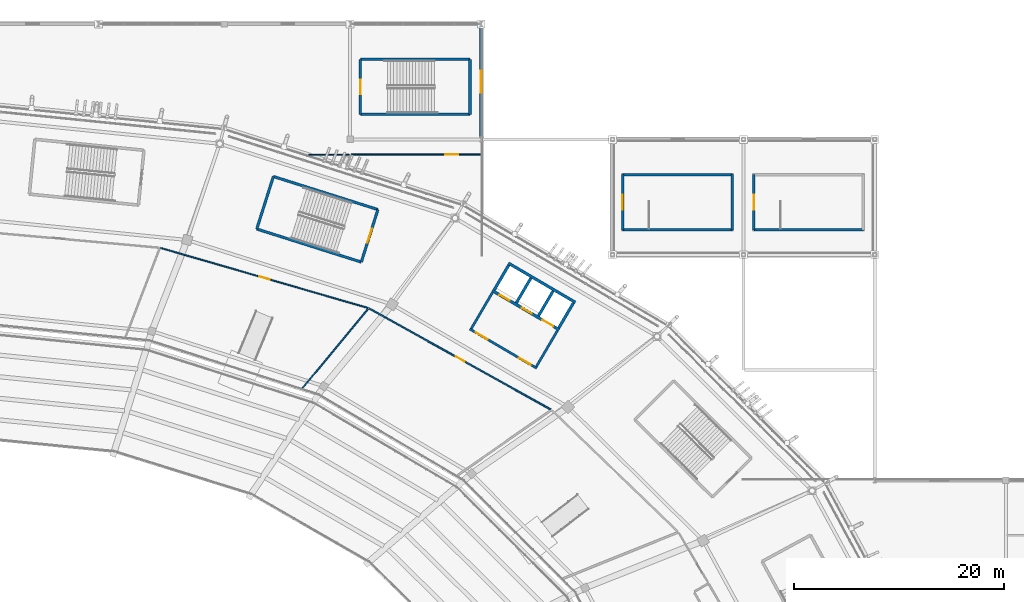
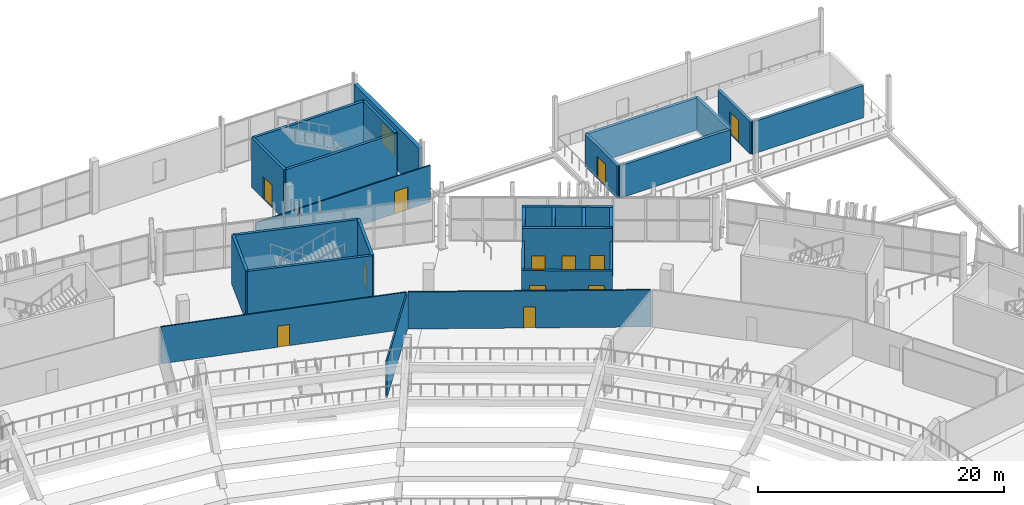
# One storey, part 132 of 178: 29 walls, 12 doors, 1 window, 13 openings.
"""IFC4 building model written with IfcOpenShell, lengths in metres."""

from ifc_helpers import new_model, si_unit, direction, frame, frame_2d, origin, place, context, subcontext, project, spatial, rectangle, extrude, material, layer, layer_set, type_object, element, fill, save


model = new_model("IFC4")

# Units and contexts
model_context = context("Model", 3, precision=1e-05, world=origin(), true_north=direction((0.0, 1.0)))
body_context = subcontext(model_context, "Body", "Model", "MODEL_VIEW")
ifc_project = project(units=[si_unit("LENGTHUNIT", "METRE"), si_unit("AREAUNIT", "SQUARE_METRE"), si_unit("VOLUMEUNIT", "CUBIC_METRE"), si_unit("PLANEANGLEUNIT", "RADIAN"), si_unit("MASSUNIT", "GRAM", prefix="KILO")], contexts=[model_context])

# Site, building, storey
site_placement = place(None, origin())
site = spatial("IfcSite", under=ifc_project, at=site_placement, CompositionType="ELEMENT")
building_placement = place(site_placement, origin())
building = spatial("IfcBuilding", under=site, at=building_placement, Name="Zlatoyarsky Gate Stadium", CompositionType="ELEMENT")
storey_placement = place(building_placement, frame((0.0, 0.0, 5.39990234375)))
storey = spatial("IfcBuildingStorey", under=building, at=storey_placement, Name="L01", CompositionType="ELEMENT", Elevation=5.39990234375)

# Wall, opening, door
ifc_material_1 = material(Name="Anodised aluminium acoustic operable wall", Category="aluminium")
ifc_layer_1 = layer(ifc_material_1, 0.114990234375)
ifc_layer_set_1 = layer_set([ifc_layer_1], Name="Anodised aluminium acoustic operable wall")
wall_type_1 = type_object("IfcWallType", Name="ACOUSTIC OPERABLE SUITE WALL 115", PredefinedType="MOVABLE", material=ifc_layer_set_1)
wall_1_placement = place(storey_placement, frame((147.5849609375, 147.550048828125, 0.0), z_axis=(0.0, 0.0, 1.0), x_axis=(1.0, 0.0, 0.0)))
wall_1 = element("IfcWall", 1, at=wall_1_placement, inside=storey, type_object=wall_type_1, Name="L01 interior partition PRT-L01-V2NC-SE2B", PredefinedType="MOVABLE", context=body_context, shape_type="SweptSolid", body=[
    extrude(rectangle(XDim=12.31005859375, YDim=0.114990234375, at=frame_2d((6.155029296875, 0.0))), origin(), (0.0, 0.0, 1.0), 3.670166015625),
])
opening_1_placement = place(wall_1_placement, frame((8.9599609375, 0.0, 0.0)))
opening_1 = element("IfcOpeningElement", 2, at=opening_1_placement, cuts=wall_1, Name="Opening D-L01-278", PredefinedType="OPENING", context=body_context, shape_type="SweptSolid", body=[
    extrude(rectangle(XDim=1.239990234375, YDim=2.239990234375, at=frame_2d((0.6201171875, 1.1201171875))), frame((0.0, 0.0673828125, 0.0), z_axis=(0.0, -1.0, 0.0), x_axis=(1.0, 0.0, 0.0)), (0.0, 0.0, 1.0), 0.135009765625),
])
ifc_material_2 = material(Name="Solid-core oak veneer acoustic door", Category="wood")
door_type_1 = type_object("IfcDoorType", Name="ACOUSTIC INTERIOR DOOR 1240X2240", OperationType="NOTDEFINED", PredefinedType="DOOR", material=ifc_material_2)
door_1_placement = place(opening_1_placement, origin())
door_1 = element("IfcDoor", 3, at=door_1_placement, inside=storey, type_object=door_type_1, Name="L01 room door D-L01-278", OperationType="SINGLE_SWING_RIGHT", OverallHeight=2.239990234375, OverallWidth=1.239990234375, PredefinedType="DOOR", context=body_context, shape_type="SweptSolid", body=[
    extrude(rectangle(XDim=1.239990234375, YDim=2.239990234375, at=frame_2d((0.6201171875, 1.1201171875))), frame((0.0, 0.02490234375, 0.0), z_axis=(0.0, -1.0, 0.0), x_axis=(1.0, 0.0, 0.0)), (0.0, 0.0, 1.0), 0.050048828125),
])
fill(opening_1, door_1)

ifc_material_3 = material(Name="Moisture-resistant masonry partition", Category="masonry")
ifc_layer_2 = layer(ifc_material_3, 0.139892578125)
ifc_layer_set_2 = layer_set([ifc_layer_2], Name="Moisture-resistant masonry partition")
wall_type_2 = type_object("IfcWallType", Name="ATHLETE CHANGING BLOCK PARTITION 140", PredefinedType="PARTITIONING", material=ifc_layer_set_2)
wall_2_placement = place(storey_placement, frame((166.6181640625, 123.248779296875, 0.0), z_axis=(0.0, 0.0, 1.0), x_axis=(-0.873697684001, 0.486469276493, 0.0)))
wall_2 = element("IfcWall", 4, at=wall_2_placement, inside=storey, type_object=wall_type_2, Name="L01 interior partition PRT-L01-ICC-03", PredefinedType="PARTITIONING", context=body_context, shape_type="SweptSolid", body=[
    extrude(rectangle(XDim=19.76171875, YDim=0.139892578125, at=frame_2d((9.880859375, 0.0))), origin(), (0.0, 0.0, 1.0), 3.670166015625),
])
opening_2_placement = place(wall_2_placement, frame((9.40087890625, 0.0, 0.0)))
opening_2 = element("IfcOpeningElement", 5, at=opening_2_placement, cuts=wall_2, Name="Opening D-L01-223", PredefinedType="OPENING", context=body_context, shape_type="SweptSolid", body=[
    extrude(rectangle(XDim=0.9599609375, YDim=2.10009765625, at=frame_2d((0.47998046875, 1.050048828125))), frame((0.0, 0.079833984375, 0.0), z_axis=(0.0, -1.0, 0.0), x_axis=(1.0, 0.0, 0.0)), (0.0, 0.0, 1.0), 0.159912109375),
])
ifc_material_4 = material(Name="Powder-coated steel fire door", Category="steel")
door_type_2 = type_object("IfcDoorType", Name="ACOUSTIC INTERIOR DOOR 960X2100", OperationType="NOTDEFINED", PredefinedType="DOOR", material=ifc_material_4)
door_2_placement = place(opening_2_placement, origin())
door_2 = element("IfcDoor", 6, at=door_2_placement, inside=storey, type_object=door_type_2, Name="L01 room door D-L01-223", OperationType="SINGLE_SWING_RIGHT", OverallHeight=2.10009765625, OverallWidth=0.9599609375, PredefinedType="DOOR", context=body_context, shape_type="SweptSolid", body=[
    extrude(rectangle(XDim=0.9599609375, YDim=2.10009765625, at=frame_2d((0.47998046875, 1.050048828125))), frame((0.0, 0.02490234375, 0.0), z_axis=(0.0, -1.0, 0.0), x_axis=(1.0, 0.0, 0.0)), (0.0, 0.0, 1.0), 0.050048828125),
])
fill(opening_2, door_2)

# Walls
ifc_material_5 = material(Name="Concrete C40/50", Category="concrete")
ifc_layer_3 = layer(ifc_material_5, 0.27001953125)
ifc_layer_set_3 = layer_set([ifc_layer_3], Name="Concrete C40/50")
wall_type_3 = type_object("IfcWallType", Name="CONCRETE LIFT SHAFT SHEAR WALL 270", PredefinedType="SHEAR", material=ifc_layer_set_3)
wall_3_placement = place(storey_placement, frame((168.962646484375, 133.458984375, 0.0), z_axis=(0.0, 0.0, 1.0), x_axis=(-0.862865684113, 0.505433290534, 0.0)))
element("IfcWall", 7, at=wall_3_placement, inside=storey, type_object=wall_type_3, Name="C1 L01 lift shaft rear wall", PredefinedType="SHEAR", context=body_context, shape_type="SweptSolid", body=[
    extrude(rectangle(XDim=7.400146484375, YDim=0.27001953125, at=frame_2d((3.7001953125, 0.0))), origin(), (0.0, 0.0, 1.0), 4.920166015625),
])
for number, where, z_axis, x_axis, name in (
    (8, (168.772705078125, 133.402099609375, 0.0), (0.0, 0.0, 1.0), (-0.505465660416, -0.862846722275, 0.0), "C1 L01 lift shaft left wall"),
    (9, (162.62060546875, 137.006103515625, 0.0), (0.0, 0.0, 1.0), (-0.505465660416, -0.862846722275, 0.0), "C1 L01 lift shaft right wall"),
):
    element("IfcWall", number, at=place(storey_placement, frame(where, z_axis=z_axis, x_axis=x_axis)), inside=storey, type_object=wall_type_3, Name=name, PredefinedType="SHEAR", context=body_context, shape_type="SweptSolid", body=[
        extrude(rectangle(XDim=2.739990234375, YDim=0.27001953125, at=frame_2d((1.3701171875, 0.0))), origin(), (0.0, 0.0, 1.0), 4.920166015625),
    ])
wall_4_placement = place(storey_placement, frame((166.840087890625, 134.5341796875, 0.0), z_axis=(0.0, 0.0, 1.0), x_axis=(-0.505504523015, -0.862823954936, 0.0)))
element("IfcWall", 10, at=wall_4_placement, inside=storey, type_object=wall_type_3, Name="C1 L01 lift shaft divider 1", PredefinedType="SHEAR", context=body_context, shape_type="SweptSolid", body=[
    extrude(rectangle(XDim=2.73974609375, YDim=0.27001953125, at=frame_2d((1.369873046875, 0.0))), origin(), (0.0, 0.0, 1.0), 4.920166015625),
])
wall_5_placement = place(storey_placement, frame((164.72607421875, 135.772705078125, 0.0), z_axis=(0.0, 0.0, 1.0), x_axis=(-0.505465660416, -0.862846722275, 0.0)))
element("IfcWall", 11, at=wall_5_placement, inside=storey, type_object=wall_type_3, Name="C1 L01 lift shaft divider 2", PredefinedType="SHEAR", context=body_context, shape_type="SweptSolid", body=[
    extrude(rectangle(XDim=2.739990234375, YDim=0.27001953125, at=frame_2d((1.3701171875, 0.0))), origin(), (0.0, 0.0, 1.0), 4.920166015625),
])

# Wall, openings, doors
wall_6_placement = place(storey_placement, frame((167.430908203125, 130.844482421875, 0.0), z_axis=(0.0, 0.0, 1.0), x_axis=(-0.862842866418, 0.505472242434, 0.0)))
wall_6 = element("IfcWall", 12, at=wall_6_placement, inside=storey, type_object=wall_type_3, Name="C1 L01 lift landing front wall", PredefinedType="SHEAR", context=body_context, shape_type="SweptSolid", body=[
    extrude(rectangle(XDim=7.39990234375, YDim=0.27001953125, at=frame_2d((3.699951171875, 0.0))), origin(), (0.0, 0.0, 1.0), 4.920166015625),
])
opening_3_placement = place(wall_6_placement, frame((0.64990234375, 0.0, 0.0)))
opening_3 = element("IfcOpeningElement", 13, at=opening_3_placement, cuts=wall_6, Name="Opening LD-FL-01-L01", PredefinedType="OPENING", context=body_context, shape_type="SweptSolid", body=[
    extrude(rectangle(XDim=1.199951171875, YDim=2.25, at=frame_2d((0.60009765625, 1.125))), frame((0.0, 0.14501953125, 0.0), z_axis=(0.0, -1.0, 0.0), x_axis=(1.0, 0.0, 0.0)), (0.0, 0.0, 1.0), 0.2900390625),
])
opening_4_placement = place(wall_6_placement, frame((3.050048828125, 0.0, 0.0)))
opening_4 = element("IfcOpeningElement", 14, at=opening_4_placement, cuts=wall_6, Name="Opening LD-LF-01-L01", PredefinedType="OPENING", context=body_context, shape_type="SweptSolid", body=[
    extrude(rectangle(XDim=1.10009765625, YDim=2.199951171875, at=frame_2d((0.550048828125, 1.10009765625))), frame((0.0, 0.14501953125, 0.0), z_axis=(0.0, -1.0, 0.0), x_axis=(1.0, 0.0, 0.0)), (0.0, 0.0, 1.0), 0.2900390625),
])
opening_5_placement = place(wall_6_placement, frame((5.5, 0.0, 0.0)))
opening_5 = element("IfcOpeningElement", 15, at=opening_5_placement, cuts=wall_6, Name="Opening LD-LF-02-L01", PredefinedType="OPENING", context=body_context, shape_type="SweptSolid", body=[
    extrude(rectangle(XDim=1.10009765625, YDim=2.199951171875, at=frame_2d((0.550048828125, 1.10009765625))), frame((0.0, 0.14501953125, 0.0), z_axis=(0.0, -1.0, 0.0), x_axis=(1.0, 0.0, 0.0)), (0.0, 0.0, 1.0), 0.2900390625),
])
door_type_3 = type_object("IfcDoorType", Name="STAINLESS LIFT LANDING SLIDING DOOR 1100X2200", OperationType="DOUBLE_DOOR_SLIDING", PredefinedType="DOOR", material=ifc_material_4)
door_3_placement = place(opening_4_placement, origin())
door_3 = element("IfcDoor", 16, at=door_3_placement, inside=storey, type_object=door_type_3, Name="Lift LF-01 L01 sliding landing door", OperationType="DOUBLE_DOOR_SLIDING", OverallHeight=2.199951171875, OverallWidth=1.10009765625, PredefinedType="DOOR", context=body_context, shape_type="SweptSolid", body=[
    extrude(rectangle(XDim=1.10009765625, YDim=2.199951171875, at=frame_2d((0.550048828125, 1.10009765625))), frame((0.0, 0.02490234375, 0.0), z_axis=(0.0, -1.0, 0.0), x_axis=(1.0, 0.0, 0.0)), (0.0, 0.0, 1.0), 0.050048828125),
])
fill(opening_4, door_3)
door_4_placement = place(opening_5_placement, origin())
door_4 = element("IfcDoor", 17, at=door_4_placement, inside=storey, type_object=door_type_3, Name="Lift LF-02 L01 sliding landing door", OperationType="DOUBLE_DOOR_SLIDING", OverallHeight=2.199951171875, OverallWidth=1.10009765625, PredefinedType="DOOR", context=body_context, shape_type="SweptSolid", body=[
    extrude(rectangle(XDim=1.10009765625, YDim=2.199951171875, at=frame_2d((0.550048828125, 1.10009765625))), frame((0.0, 0.02490234375, 0.0), z_axis=(0.0, -1.0, 0.0), x_axis=(1.0, 0.0, 0.0)), (0.0, 0.0, 1.0), 0.050048828125),
])
fill(opening_5, door_4)
door_type_4 = type_object("IfcDoorType", Name="STAINLESS LIFT LANDING SLIDING DOOR 1200X2250", OperationType="DOUBLE_DOOR_SLIDING", PredefinedType="DOOR", material=ifc_material_4)
door_5_placement = place(opening_3_placement, origin())
door_5 = element("IfcDoor", 18, at=door_5_placement, inside=storey, type_object=door_type_4, Name="Lift FL-01 L01 sliding landing door", OperationType="DOUBLE_DOOR_SLIDING", OverallHeight=2.25, OverallWidth=1.199951171875, PredefinedType="DOOR", context=body_context, shape_type="SweptSolid", body=[
    extrude(rectangle(XDim=1.199951171875, YDim=2.25, at=frame_2d((0.60009765625, 1.125))), frame((0.0, 0.02490234375, 0.0), z_axis=(0.0, -1.0, 0.0), x_axis=(1.0, 0.0, 0.0)), (0.0, 0.0, 1.0), 0.050048828125),
])
fill(opening_3, door_5)

# Wall, opening, door
ifc_layer_4 = layer(ifc_material_5, 0.25)
ifc_layer_set_4 = layer_set([ifc_layer_4], Name="Concrete C40/50")
wall_type_4 = type_object("IfcWallType", Name="CONCRETE STAIR CORE SHEAR WALL 250", PredefinedType="SHEAR", material=ifc_layer_set_4)
wall_7_placement = place(storey_placement, frame((148.563232421875, 137.30126953125, 0.0), z_axis=(0.0, 0.0, 1.0), x_axis=(0.30152749866, 0.953457480726, 0.0)))
wall_7 = element("IfcWall", 19, at=wall_7_placement, inside=storey, type_object=wall_type_4, Name="ST-03 L01 stair core entrance shear wall", PredefinedType="SHEAR", context=body_context, shape_type="SweptSolid", body=[
    extrude(rectangle(XDim=5.25, YDim=0.25, at=frame_2d((2.625, 0.0))), origin(), (0.0, 0.0, 1.0), 4.920166015625),
])
opening_6_placement = place(wall_7_placement, frame((1.925048828125, 0.0, 0.0)))
opening_6 = element("IfcOpeningElement", 20, at=opening_6_placement, cuts=wall_7, Name="Opening SD-ST-03-L01", PredefinedType="OPENING", context=body_context, shape_type="SweptSolid", body=[
    extrude(rectangle(XDim=1.39990234375, YDim=2.199951171875, at=frame_2d((0.699951171875, 1.10009765625))), frame((0.0, 0.135009765625, 0.0), z_axis=(0.0, -1.0, 0.0), x_axis=(1.0, 0.0, 0.0)), (0.0, 0.0, 1.0), 0.27001953125),
])
door_type_5 = type_object("IfcDoorType", Name="STAIR CORE FIRE EXIT DOOR 1400X2200", OperationType="NOTDEFINED", PredefinedType="DOOR", material=ifc_material_4)
door_6_placement = place(opening_6_placement, frame((1.39990234375, 0.0, 0.0), z_axis=(0.0, 0.0, 1.0), x_axis=(-1.0, 0.0, 0.0)))
door_6 = element("IfcDoor", 21, at=door_6_placement, inside=storey, type_object=door_type_5, Name="ST-03 L01 stair fire door", OperationType="SINGLE_SWING_RIGHT", OverallHeight=2.199951171875, OverallWidth=1.39990234375, PredefinedType="DOOR", context=body_context, shape_type="SweptSolid", body=[
    extrude(rectangle(XDim=1.39990234375, YDim=2.199951171875, at=frame_2d((0.699951171875, 1.10009765625))), frame((0.0, 0.02490234375, 0.0), z_axis=(0.0, -1.0, 0.0), x_axis=(1.0, 0.0, 0.0)), (0.0, 0.0, 1.0), 0.050048828125),
])
fill(opening_6, door_6)

# Walls
wall_8_placement = place(storey_placement, frame((150.146240234375, 142.306884765625, 0.0), z_axis=(0.0, 0.0, 1.0), x_axis=(-0.953461834254, 0.301513732061, 0.0)))
element("IfcWall", 22, at=wall_8_placement, inside=storey, type_object=wall_type_4, Name="ST-03 L01 stair core left shear wall", PredefinedType="SHEAR", context=body_context, shape_type="SweptSolid", body=[
    extrude(rectangle(XDim=10.4501953125, YDim=0.25, at=frame_2d((5.22509765625, 0.0))), origin(), (0.0, 0.0, 1.0), 4.920166015625),
])
wall_9_placement = place(storey_placement, frame((140.182373046875, 145.457763671875, 0.0), z_axis=(0.0, 0.0, 1.0), x_axis=(-0.301485222482, -0.953470849384, 0.0)))
element("IfcWall", 23, at=wall_9_placement, inside=storey, type_object=wall_type_4, Name="ST-03 L01 stair core far shear wall", PredefinedType="SHEAR", context=body_context, shape_type="SweptSolid", body=[
    extrude(rectangle(XDim=5.25, YDim=0.25, at=frame_2d((2.625, 0.0))), origin(), (0.0, 0.0, 1.0), 4.920166015625),
])
wall_10_placement = place(storey_placement, frame((138.599609375, 140.4521484375, 0.0), z_axis=(0.0, 0.0, 1.0), x_axis=(0.953459710305, -0.301520448438, 0.0)))
element("IfcWall", 24, at=wall_10_placement, inside=storey, type_object=wall_type_4, Name="ST-03 L01 stair core right shear wall", PredefinedType="SHEAR", context=body_context, shape_type="SweptSolid", body=[
    extrude(rectangle(XDim=10.449951171875, YDim=0.25, at=frame_2d((5.22509765625, 0.0))), origin(), (0.0, 0.0, 1.0), 4.920166015625),
])

# Wall, opening, door
wall_11_placement = place(storey_placement, frame((173.47509765625, 145.625, 0.0), z_axis=(0.0, 0.0, 1.0), x_axis=(0.0, -1.0, 0.0)))
wall_11 = element("IfcWall", 25, at=wall_11_placement, inside=storey, type_object=wall_type_4, Name="ST-27 L01 stair core entrance shear wall", PredefinedType="SHEAR", context=body_context, shape_type="SweptSolid", body=[
    extrude(rectangle(XDim=5.25, YDim=0.25, at=frame_2d((2.625, 0.0))), origin(), (0.0, 0.0, 1.0), 3.2001953125),
])
opening_7_placement = place(wall_11_placement, frame((1.925048828125, 0.0, 0.0)))
opening_7 = element("IfcOpeningElement", 26, at=opening_7_placement, cuts=wall_11, Name="Opening SD-ST-27-L01", PredefinedType="OPENING", context=body_context, shape_type="SweptSolid", body=[
    extrude(rectangle(XDim=1.39990234375, YDim=2.199951171875, at=frame_2d((0.699951171875, 1.10009765625))), frame((0.0, 0.135009765625, 0.0), z_axis=(0.0, -1.0, 0.0), x_axis=(1.0, 0.0, 0.0)), (0.0, 0.0, 1.0), 0.27001953125),
])
door_7_placement = place(opening_7_placement, frame((1.39990234375, 0.0, 0.0), z_axis=(0.0, 0.0, 1.0), x_axis=(-1.0, 0.0, 0.0)))
door_7 = element("IfcDoor", 27, at=door_7_placement, inside=storey, type_object=door_type_5, Name="ST-27 L01 stair fire door", OperationType="SINGLE_SWING_LEFT", OverallHeight=2.199951171875, OverallWidth=1.39990234375, PredefinedType="DOOR", context=body_context, shape_type="SweptSolid", body=[
    extrude(rectangle(XDim=1.39990234375, YDim=2.199951171875, at=frame_2d((0.699951171875, 1.10009765625))), frame((0.0, 0.02490234375, 0.0), z_axis=(0.0, -1.0, 0.0), x_axis=(1.0, 0.0, 0.0)), (0.0, 0.0, 1.0), 0.050048828125),
])
fill(opening_7, door_7)

# Walls
wall_12_placement = place(storey_placement, frame((173.47509765625, 140.375, 0.0), z_axis=(0.0, 0.0, 1.0), x_axis=(1.0, 0.0, 0.0)))
element("IfcWall", 28, at=wall_12_placement, inside=storey, type_object=wall_type_4, Name="ST-27 L01 stair core left shear wall", PredefinedType="SHEAR", context=body_context, shape_type="SweptSolid", body=[
    extrude(rectangle(XDim=10.449951171875, YDim=0.25, at=frame_2d((5.22509765625, 0.0))), origin(), (0.0, 0.0, 1.0), 3.2001953125),
])
wall_13_placement = place(storey_placement, frame((183.925048828125, 140.375, 0.0), z_axis=(0.0, 0.0, 1.0), x_axis=(0.0, 1.0, 0.0)))
element("IfcWall", 29, at=wall_13_placement, inside=storey, type_object=wall_type_4, Name="ST-27 L01 stair core far shear wall", PredefinedType="SHEAR", context=body_context, shape_type="SweptSolid", body=[
    extrude(rectangle(XDim=5.25, YDim=0.25, at=frame_2d((2.625, 0.0))), origin(), (0.0, 0.0, 1.0), 3.2001953125),
])
wall_14_placement = place(storey_placement, frame((183.925048828125, 145.625, 0.0), z_axis=(0.0, 0.0, 1.0), x_axis=(-1.0, 0.0, 0.0)))
element("IfcWall", 30, at=wall_14_placement, inside=storey, type_object=wall_type_4, Name="ST-27 L01 stair core right shear wall", PredefinedType="SHEAR", context=body_context, shape_type="SweptSolid", body=[
    extrude(rectangle(XDim=10.449951171875, YDim=0.25, at=frame_2d((5.22509765625, 0.0))), origin(), (0.0, 0.0, 1.0), 3.2001953125),
])

# Wall, opening, door
wall_15_placement = place(storey_placement, frame((185.97509765625, 145.625, 0.0), z_axis=(0.0, 0.0, 1.0), x_axis=(0.0, -1.0, 0.0)))
wall_15 = element("IfcWall", 31, at=wall_15_placement, inside=storey, type_object=wall_type_4, Name="ST-28 L01 stair core entrance shear wall", PredefinedType="SHEAR", context=body_context, shape_type="SweptSolid", body=[
    extrude(rectangle(XDim=5.25, YDim=0.25, at=frame_2d((2.625, 0.0))), origin(), (0.0, 0.0, 1.0), 3.2001953125),
])
opening_8_placement = place(wall_15_placement, frame((1.925048828125, 0.0, 0.0)))
opening_8 = element("IfcOpeningElement", 32, at=opening_8_placement, cuts=wall_15, Name="Opening SD-ST-28-L01", PredefinedType="OPENING", context=body_context, shape_type="SweptSolid", body=[
    extrude(rectangle(XDim=1.39990234375, YDim=2.199951171875, at=frame_2d((0.699951171875, 1.10009765625))), frame((0.0, 0.135009765625, 0.0), z_axis=(0.0, -1.0, 0.0), x_axis=(1.0, 0.0, 0.0)), (0.0, 0.0, 1.0), 0.27001953125),
])
door_8_placement = place(opening_8_placement, frame((1.39990234375, 0.0, 0.0), z_axis=(0.0, 0.0, 1.0), x_axis=(-1.0, 0.0, 0.0)))
door_8 = element("IfcDoor", 33, at=door_8_placement, inside=storey, type_object=door_type_5, Name="ST-28 L01 stair fire door", OperationType="SINGLE_SWING_RIGHT", OverallHeight=2.199951171875, OverallWidth=1.39990234375, PredefinedType="DOOR", context=body_context, shape_type="SweptSolid", body=[
    extrude(rectangle(XDim=1.39990234375, YDim=2.199951171875, at=frame_2d((0.699951171875, 1.10009765625))), frame((0.0, 0.02490234375, 0.0), z_axis=(0.0, -1.0, 0.0), x_axis=(1.0, 0.0, 0.0)), (0.0, 0.0, 1.0), 0.050048828125),
])
fill(opening_8, door_8)

# Wall
wall_16_placement = place(storey_placement, frame((185.97509765625, 140.375, 0.0), z_axis=(0.0, 0.0, 1.0), x_axis=(1.0, 0.0, 0.0)))
element("IfcWall", 34, at=wall_16_placement, inside=storey, type_object=wall_type_4, Name="ST-28 L01 stair core left shear wall", PredefinedType="SHEAR", context=body_context, shape_type="SweptSolid", body=[
    extrude(rectangle(XDim=10.449951171875, YDim=0.25, at=frame_2d((5.22509765625, 0.0))), origin(), (0.0, 0.0, 1.0), 3.2001953125),
])

# Wall, opening, door
wall_17_placement = place(storey_placement, frame((148.47509765625, 156.625, 0.0), z_axis=(0.0, 0.0, 1.0), x_axis=(0.0, -1.0, 0.0)))
wall_17 = element("IfcWall", 35, at=wall_17_placement, inside=storey, type_object=wall_type_4, Name="ST-32 L01 stair core entrance shear wall", PredefinedType="SHEAR", context=body_context, shape_type="SweptSolid", body=[
    extrude(rectangle(XDim=5.25, YDim=0.25, at=frame_2d((2.625, 0.0))), origin(), (0.0, 0.0, 1.0), 4.920166015625),
])
opening_9_placement = place(wall_17_placement, frame((1.925048828125, 0.0, 0.0)))
opening_9 = element("IfcOpeningElement", 36, at=opening_9_placement, cuts=wall_17, Name="Opening SD-ST-32-L01", PredefinedType="OPENING", context=body_context, shape_type="SweptSolid", body=[
    extrude(rectangle(XDim=1.39990234375, YDim=2.199951171875, at=frame_2d((0.699951171875, 1.10009765625))), frame((0.0, 0.135009765625, 0.0), z_axis=(0.0, -1.0, 0.0), x_axis=(1.0, 0.0, 0.0)), (0.0, 0.0, 1.0), 0.27001953125),
])
door_9_placement = place(opening_9_placement, frame((1.39990234375, 0.0, 0.0), z_axis=(0.0, 0.0, 1.0), x_axis=(-1.0, 0.0, 0.0)))
door_9 = element("IfcDoor", 37, at=door_9_placement, inside=storey, type_object=door_type_5, Name="ST-32 L01 stair fire door", OperationType="SINGLE_SWING_RIGHT", OverallHeight=2.199951171875, OverallWidth=1.39990234375, PredefinedType="DOOR", context=body_context, shape_type="SweptSolid", body=[
    extrude(rectangle(XDim=1.39990234375, YDim=2.199951171875, at=frame_2d((0.699951171875, 1.10009765625))), frame((0.0, 0.02490234375, 0.0), z_axis=(0.0, -1.0, 0.0), x_axis=(1.0, 0.0, 0.0)), (0.0, 0.0, 1.0), 0.050048828125),
])
fill(opening_9, door_9)

# Walls
wall_18_placement = place(storey_placement, frame((148.47509765625, 151.375, 0.0), z_axis=(0.0, 0.0, 1.0), x_axis=(1.0, 0.0, 0.0)))
element("IfcWall", 38, at=wall_18_placement, inside=storey, type_object=wall_type_4, Name="ST-32 L01 stair core left shear wall", PredefinedType="SHEAR", context=body_context, shape_type="SweptSolid", body=[
    extrude(rectangle(XDim=10.449951171875, YDim=0.25, at=frame_2d((5.22509765625, 0.0))), origin(), (0.0, 0.0, 1.0), 4.920166015625),
])
wall_19_placement = place(storey_placement, frame((158.925048828125, 151.375, 0.0), z_axis=(0.0, 0.0, 1.0), x_axis=(0.0, 1.0, 0.0)))
element("IfcWall", 39, at=wall_19_placement, inside=storey, type_object=wall_type_4, Name="ST-32 L01 stair core far shear wall", PredefinedType="SHEAR", context=body_context, shape_type="SweptSolid", body=[
    extrude(rectangle(XDim=5.25, YDim=0.25, at=frame_2d((2.625, 0.0))), origin(), (0.0, 0.0, 1.0), 4.920166015625),
])
wall_20_placement = place(storey_placement, frame((158.925048828125, 156.625, 0.0), z_axis=(0.0, 0.0, 1.0), x_axis=(-1.0, 0.0, 0.0)))
element("IfcWall", 40, at=wall_20_placement, inside=storey, type_object=wall_type_4, Name="ST-32 L01 stair core right shear wall", PredefinedType="SHEAR", context=body_context, shape_type="SweptSolid", body=[
    extrude(rectangle(XDim=10.449951171875, YDim=0.25, at=frame_2d((5.22509765625, 0.0))), origin(), (0.0, 0.0, 1.0), 4.920166015625),
])
ifc_material_6 = material(Name="Autoclaved aerated concrete masonry EI 120", Category="masonry")
ifc_layer_5 = layer(ifc_material_6, 0.219970703125)
ifc_layer_set_5 = layer_set([ifc_layer_5], Name="Autoclaved aerated concrete masonry EI 120")
wall_type_5 = type_object("IfcWallType", Name="FIREFIGHTING LOBBY RATED WALL 220", PredefinedType="PARTITIONING", material=ifc_layer_set_5)
for number, where, z_axis, x_axis, name in (
    (41, (167.2578125, 130.766357421875, 0.0), (0.0, 0.0, 1.0), (-0.505464443681, -0.862847435051, 0.0), "C1 L01 firefighting lobby left wall"),
    (42, (161.0625, 134.3955078125, 0.0), (0.0, 0.0, 1.0), (-0.505464443681, -0.862847435051, 0.0), "C1 L01 firefighting lobby right wall"),
):
    element("IfcWall", number, at=place(storey_placement, frame(where, z_axis=z_axis, x_axis=x_axis)), inside=storey, type_object=wall_type_5, Name=name, PredefinedType="PARTITIONING", context=body_context, shape_type="SweptSolid", body=[
        extrude(rectangle(XDim=3.97998046875, YDim=0.219970703125, at=frame_2d((1.989990234375, 0.0))), origin(), (0.0, 0.0, 1.0), 3.670166015625),
    ])

# Wall, openings, doors
wall_21_placement = place(storey_placement, frame((165.285400390625, 127.181640625, 0.0), z_axis=(0.0, 0.0, 1.0), x_axis=(-0.862851295616, 0.505457853488, 0.0)))
wall_21 = element("IfcWall", 43, at=wall_21_placement, inside=storey, type_object=wall_type_5, Name="C1 L01 firefighting lobby front wall", PredefinedType="PARTITIONING", context=body_context, shape_type="SweptSolid", body=[
    extrude(rectangle(XDim=7.400146484375, YDim=0.219970703125, at=frame_2d((3.7001953125, 0.0))), origin(), (0.0, 0.0, 1.0), 3.670166015625),
])
opening_10_placement = place(wall_21_placement, frame((0.64990234375, 0.0, 0.0)))
opening_10 = element("IfcOpeningElement", 44, at=opening_10_placement, cuts=wall_21, Name="Opening FD-C1-L01-A", PredefinedType="OPENING", context=body_context, shape_type="SweptSolid", body=[
    extrude(rectangle(XDim=1.300048828125, YDim=2.199951171875, at=frame_2d((0.64990234375, 1.10009765625))), frame((0.0, 0.119873046875, 0.0), z_axis=(0.0, -1.0, 0.0), x_axis=(1.0, 0.0, 0.0)), (0.0, 0.0, 1.0), 0.239990234375),
])
opening_11_placement = place(wall_21_placement, frame((5.449951171875, 0.0, 0.0)))
opening_11 = element("IfcOpeningElement", 45, at=opening_11_placement, cuts=wall_21, Name="Opening FD-C1-L01-B", PredefinedType="OPENING", context=body_context, shape_type="SweptSolid", body=[
    extrude(rectangle(XDim=1.300048828125, YDim=2.199951171875, at=frame_2d((0.64990234375, 1.10009765625))), frame((0.0, 0.119873046875, 0.0), z_axis=(0.0, -1.0, 0.0), x_axis=(1.0, 0.0, 0.0)), (0.0, 0.0, 1.0), 0.239990234375),
])
door_type_6 = type_object("IfcDoorType", Name="FIREFIGHTING LOBBY FIRE DOOR 1300X2200", OperationType="NOTDEFINED", PredefinedType="DOOR", material=ifc_material_4)
door_10_placement = place(opening_10_placement, origin())
door_10 = element("IfcDoor", 46, at=door_10_placement, inside=storey, type_object=door_type_6, Name="C1 L01 firefighting lobby fire door FD-C1-L01-A", OperationType="SINGLE_SWING_LEFT", OverallHeight=2.199951171875, OverallWidth=1.300048828125, PredefinedType="DOOR", context=body_context, shape_type="SweptSolid", body=[
    extrude(rectangle(XDim=1.300048828125, YDim=2.199951171875, at=frame_2d((0.64990234375, 1.10009765625))), frame((0.0, 0.02490234375, 0.0), z_axis=(0.0, -1.0, 0.0), x_axis=(1.0, 0.0, 0.0)), (0.0, 0.0, 1.0), 0.050048828125),
])
fill(opening_10, door_10)
door_11_placement = place(opening_11_placement, origin())
door_11 = element("IfcDoor", 47, at=door_11_placement, inside=storey, type_object=door_type_6, Name="C1 L01 firefighting lobby fire door FD-C1-L01-B", OperationType="SINGLE_SWING_RIGHT", OverallHeight=2.199951171875, OverallWidth=1.300048828125, PredefinedType="DOOR", context=body_context, shape_type="SweptSolid", body=[
    extrude(rectangle(XDim=1.300048828125, YDim=2.199951171875, at=frame_2d((0.64990234375, 1.10009765625))), frame((0.0, 0.02490234375, 0.0), z_axis=(0.0, -1.0, 0.0), x_axis=(1.0, 0.0, 0.0)), (0.0, 0.0, 1.0), 0.050048828125),
])
fill(opening_11, door_11)

# Wall
ifc_material_7 = material(Name="Metal-stud gypsum partition", Category="gypsum")
ifc_layer_6 = layer(ifc_material_7, 0.10009765625)
ifc_layer_set_6 = layer_set([ifc_layer_6], Name="Metal-stud gypsum partition")
wall_type_6 = type_object("IfcWallType", Name="LIGHT STORAGE PARTITION 100", PredefinedType="PARTITIONING", material=ifc_layer_set_6)
wall_22_placement = place(storey_placement, frame((143.536376953125, 147.550048828125, 0.0), z_axis=(0.0, 0.0, 1.0), x_axis=(1.0, 0.0, 0.0)))
element("IfcWall", 48, at=wall_22_placement, inside=storey, type_object=wall_type_6, Name="L01 interior partition PRT-L01-V2NC-SE2A", PredefinedType="PARTITIONING", context=body_context, shape_type="SweptSolid", body=[
    extrude(rectangle(XDim=3.878662109375, YDim=0.10009765625, at=frame_2d((1.939453125, 0.0))), origin(), (0.0, 0.0, 1.0), 3.670166015625),
])

# Wall, opening, window
ifc_material_8 = material(Name="Limestone-faced insulated masonry wall", Category="masonry")
ifc_layer_7 = layer(ifc_material_8, 0.360107421875)
ifc_layer_set_7 = layer_set([ifc_layer_7], Name="Limestone-faced insulated masonry wall")
wall_type_7 = type_object("IfcWallType", Name="LIMESTONE CLAD CAVITY WALL 360", PredefinedType="STANDARD", material=ifc_layer_set_7)
wall_23_placement = place(storey_placement, frame((160.0, 149.221923828125, 0.0), z_axis=(0.0, 0.0, 1.0), x_axis=(0.0, 1.0, 0.0)))
wall_23 = element("IfcWall", 49, at=wall_23_placement, inside=storey, type_object=wall_type_7, Name="V2_NORTH L01 E exterior wall", PredefinedType="STANDARD", context=body_context, shape_type="SweptSolid", body=[
    extrude(rectangle(XDim=10.55615234375, YDim=0.360107421875, at=frame_2d((5.278076171875, 0.0))), origin(), (0.0, 0.0, 1.0), 4.300048828125),
])
opening_12_placement = place(wall_23_placement, frame((4.22802734375, 0.0, 0.949951171875)))
opening_12 = element("IfcOpeningElement", 50, at=opening_12_placement, cuts=wall_23, Name="Opening WN-16", PredefinedType="OPENING", context=body_context, shape_type="SweptSolid", body=[
    extrude(rectangle(XDim=2.10009765625, YDim=2.10009765625, at=frame_2d((1.050048828125, 1.050048828125))), frame((0.0, 0.18994140625, 0.0), z_axis=(0.0, -1.0, 0.0), x_axis=(1.0, 0.0, 0.0)), (0.0, 0.0, 1.0), 0.380126953125),
])
ifc_material_9 = material(Name="Triple-glazed thermally broken aluminium window", Category="aluminium")
window_type = type_object("IfcWindowType", Name="TRIPLE GLAZED ALUMINIUM WINDOW 2100X2100", PartitioningType="SINGLE_PANEL", PredefinedType="WINDOW", material=ifc_material_9)
window_placement = place(opening_12_placement, origin())
window = element("IfcWindow", 51, at=window_placement, inside=storey, type_object=window_type, Name="Exterior window WIN-L01-016", OverallHeight=2.10009765625, OverallWidth=2.10009765625, PartitioningType="SINGLE_PANEL", PredefinedType="WINDOW", context=body_context, shape_type="SweptSolid", body=[
    extrude(rectangle(XDim=2.10009765625, YDim=2.10009765625, at=frame_2d((1.050048828125, 1.050048828125))), frame((0.0, 0.030029296875, 0.0), z_axis=(0.0, -1.0, 0.0), x_axis=(1.0, 0.0, 0.0)), (0.0, 0.0, 1.0), 0.06005859375),
])
fill(opening_12, window)

# Wall, opening, door
ifc_layer_8 = layer(ifc_material_7, 0.1201171875)
ifc_layer_set_8 = layer_set([ifc_layer_8], Name="Metal-stud gypsum partition")
wall_type_8 = type_object("IfcWallType", Name="OFFICE AND PRESS PARTITION 120", PredefinedType="PARTITIONING", material=ifc_layer_set_8)
wall_24_placement = place(storey_placement, frame((149.196533203125, 132.927490234375, 0.0), z_axis=(0.0, 0.0, 1.0), x_axis=(-0.960580037239, 0.278003582815, 0.0)))
wall_24 = element("IfcWall", 52, at=wall_24_placement, inside=storey, type_object=wall_type_8, Name="L01 vomitory portal wall PRT-L01-ICC-04", PredefinedType="PARTITIONING", context=body_context, shape_type="SweptSolid", body=[
    extrude(rectangle(XDim=20.560302734375, YDim=0.1201171875, at=frame_2d((10.2802734375, 0.0))), origin(), (0.0, 0.0, 1.0), 3.670166015625),
])
opening_13_placement = place(wall_24_placement, frame((9.77001953125, 0.0, 0.0)))
opening_13 = element("IfcOpeningElement", 53, at=opening_13_placement, cuts=wall_24, Name="Opening D-L01-225", PredefinedType="OPENING", context=body_context, shape_type="SweptSolid", body=[
    extrude(rectangle(XDim=1.02001953125, YDim=2.10009765625, at=frame_2d((0.510009765625, 1.050048828125))), frame((0.0, 0.070068359375, 0.0), z_axis=(0.0, -1.0, 0.0), x_axis=(1.0, 0.0, 0.0)), (0.0, 0.0, 1.0), 0.14013671875),
])
door_type_7 = type_object("IfcDoorType", Name="ACOUSTIC INTERIOR DOOR 1020X2100", OperationType="NOTDEFINED", PredefinedType="DOOR", material=ifc_material_2)
door_12_placement = place(opening_13_placement, origin())
door_12 = element("IfcDoor", 54, at=door_12_placement, inside=storey, type_object=door_type_7, Name="L01 vomitory portal door D-L01-225", OperationType="SINGLE_SWING_LEFT", OverallHeight=2.10009765625, OverallWidth=1.02001953125, PredefinedType="DOOR", context=body_context, shape_type="SweptSolid", body=[
    extrude(rectangle(XDim=1.02001953125, YDim=2.10009765625, at=frame_2d((0.510009765625, 1.050048828125))), frame((0.0, 0.02490234375, 0.0), z_axis=(0.0, -1.0, 0.0), x_axis=(1.0, 0.0, 0.0)), (0.0, 0.0, 1.0), 0.050048828125),
])
fill(opening_13, door_12)

# Wall
ifc_material_10 = material(Name="Moisture-resistant tile-backed partition", Category="gypsum")
ifc_layer_9 = layer(ifc_material_10, 0.1298828125)
ifc_layer_set_9 = layer_set([ifc_layer_9], Name="Moisture-resistant tile-backed partition")
wall_type_9 = type_object("IfcWallType", Name="SANITARY WET ROOM PARTITION 130", PredefinedType="PARTITIONING", material=ifc_layer_set_9)
wall_25_placement = place(storey_placement, frame((142.9248046875, 125.251708984375, 0.0), z_axis=(0.0, 0.0, 1.0), x_axis=(0.638797686135, 0.769374756662, 0.0)))
element("IfcWall", 55, at=wall_25_placement, inside=storey, type_object=wall_type_9, Name="L01 interior partition PRT-L01-IRD-04", PredefinedType="PARTITIONING", context=body_context, shape_type="SweptSolid", body=[
    extrude(rectangle(XDim=9.86083984375, YDim=0.1298828125, at=frame_2d((4.930419921875, 0.0))), origin(), (0.0, 0.0, 1.0), 3.670166015625),
])

save(model, "model.ifc")
